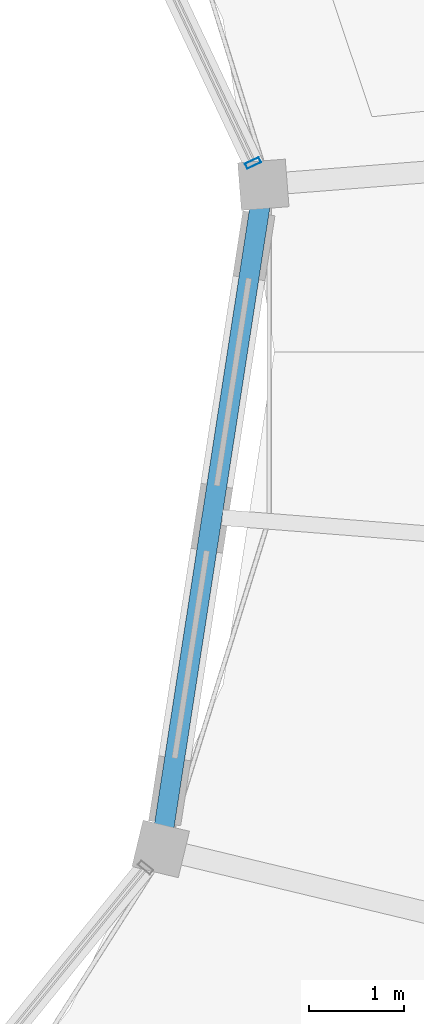
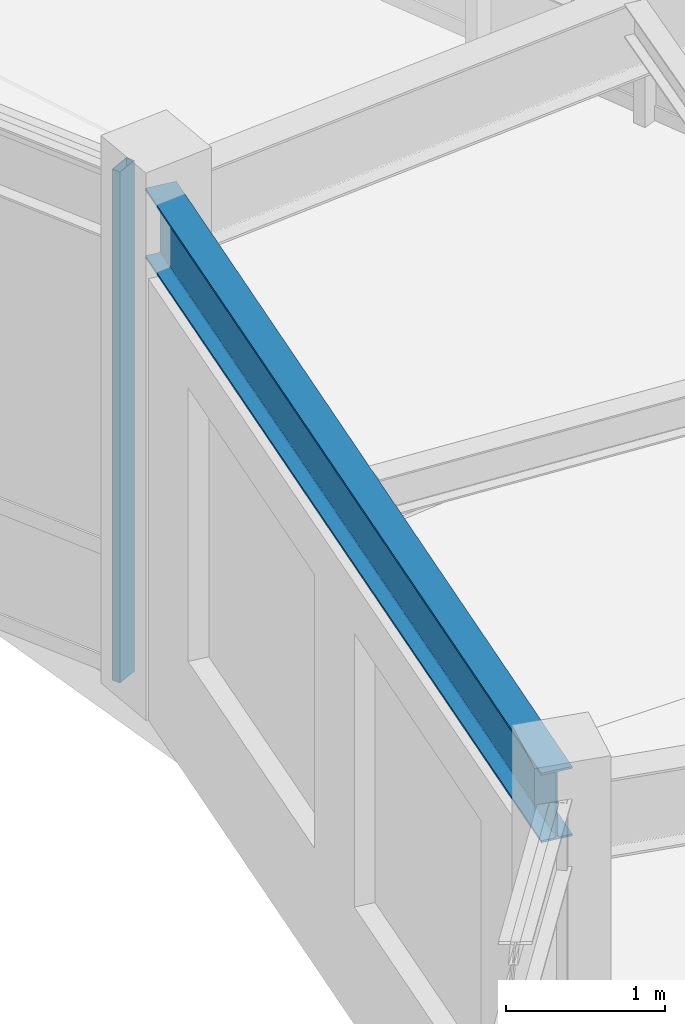
# One storey, part 49 of 79: 1 beam, 1 member, 1 element without a shape of its own.
"""IFC4 building model written with IfcOpenShell, lengths in metres."""

from ifc_helpers import new_model, si_unit, direction, frame, origin, origin_2d, place, context, subcontext, project, spatial, hollow_rectangle, i_section, extrude, material, material_profile, profile_set, type_object, element, aggregate, save


model = new_model("IFC4")

# Units and contexts
model_context = context("Model", 3, precision=1e-05, world=origin(), true_north=direction((0.0, 1.0)))
body_context = subcontext(model_context, "Body", "Model", "MODEL_VIEW")
ifc_project = project(units=[si_unit("LENGTHUNIT", "METRE"), si_unit("AREAUNIT", "SQUARE_METRE"), si_unit("VOLUMEUNIT", "CUBIC_METRE"), si_unit("PLANEANGLEUNIT", "RADIAN"), si_unit("MASSUNIT", "GRAM", prefix="KILO"), si_unit("THERMODYNAMICTEMPERATUREUNIT", "KELVIN"), si_unit("POWERUNIT", "WATT")], contexts=[model_context])

# Site, building, storey
site_placement = place(None, origin())
site = spatial("IfcSite", under=ifc_project, at=site_placement, CompositionType="ELEMENT")
building_placement = place(site_placement, origin())
building = spatial("IfcBuilding", under=site, at=building_placement, Name="Darbajah Civic Hall", CompositionType="ELEMENT")
storey_placement = place(building_placement, frame((0.0, 0.0, 22.199951171875)))
storey = spatial("IfcBuildingStorey", under=building, at=storey_placement, Name="L05", CompositionType="ELEMENT", Elevation=22.199951171875)

# Curtain wall, member
ifc_material_1 = material(Name="Anodised Bronze Aluminium and Low-E Glazing", Category="aluminium")
curtain_wall_type = type_object("IfcCurtainWallType", Name="Unitised Curtain Wall CW-78 7000x3900", PredefinedType="USERDEFINED", material=ifc_material_1)
curtain_wall_placement = place(storey_placement, origin())
curtain_wall = element("IfcCurtainWall", 1, at=curtain_wall_placement, inside=storey, type_object=curtain_wall_type, Name="L05 unitised curtain wall CW-V1I-L05-00", ObjectType="UNITISED CURTAIN WALL", PredefinedType="USERDEFINED")
ifc_material_2 = material(Name="Anodised Bronze Aluminium", Category="aluminium")
ifc_material_profile_1 = material_profile(ifc_material_2, hollow_rectangle(XDim=0.06005859375, YDim=0.159912109375, WallThickness=0.00341796875, at=origin_2d()), Name="ALU MULLION 60x160")
ifc_profile_set_1 = profile_set([ifc_material_profile_1], Name="Anodised Bronze Aluminium")
member_type = type_object("IfcMemberType", Name="ALU MULLION 60x160", PredefinedType="MULLION", material=ifc_profile_set_1)
member_placement = place(storey_placement, frame((132.657470703125, 91.777587890625, 0.0), z_axis=(0.0, 0.0, 1.0), x_axis=(-0.426568739901, 0.904455145454, 0.0)))
member = element("IfcMember", 2, at=member_placement, type_object=member_type, Name="CW-V1I-L05-00 mullion 1", PredefinedType="MULLION", context=body_context, shape_type="SweptSolid", body=[
    extrude(hollow_rectangle(XDim=0.06005859375, YDim=0.159912109375, WallThickness=0.00341796875, at=origin_2d()), origin(), (0.0, 0.0, 1.0), 3.920166015625),
])
aggregate(curtain_wall, [member])

# Beam
ifc_material_3 = material(Name="Steel S355JR", Category="steel")
ifc_material_profile_2 = material_profile(ifc_material_3, i_section(OverallWidth=0.209228515625, OverallDepth=0.533203125, WebThickness=0.010009765625, FlangeThickness=0.015625, FilletRadius=0.0126953125, at=origin_2d()), Name="UB 533x210x92")
ifc_profile_set_2 = profile_set([ifc_material_profile_2], Name="Steel S355JR")
beam_type = type_object("IfcBeamType", Name="UB 533x210x92", PredefinedType="BEAM", material=ifc_profile_set_2)
beam_placement = place(storey_placement, frame((131.701904296875, 84.67333984375, 3.653564453125), z_axis=(0.152777334871, 0.988260636649, 0.0), x_axis=(-0.988260636649, 0.152777334871, 0.0)))
element("IfcBeam", 3, at=beam_placement, inside=storey, type_object=beam_type, Name="L05 beam SB-533", PredefinedType="BEAM", context=body_context, shape_type="SweptSolid", body=[
    extrude(i_section(OverallWidth=0.209228515625, OverallDepth=0.533203125, WebThickness=0.010009765625, FlangeThickness=0.015625, FilletRadius=0.0126953125, at=origin_2d()), origin(), (0.0, 0.0, 1.0), 6.8779296875),
])

save(model, "model.ifc")
